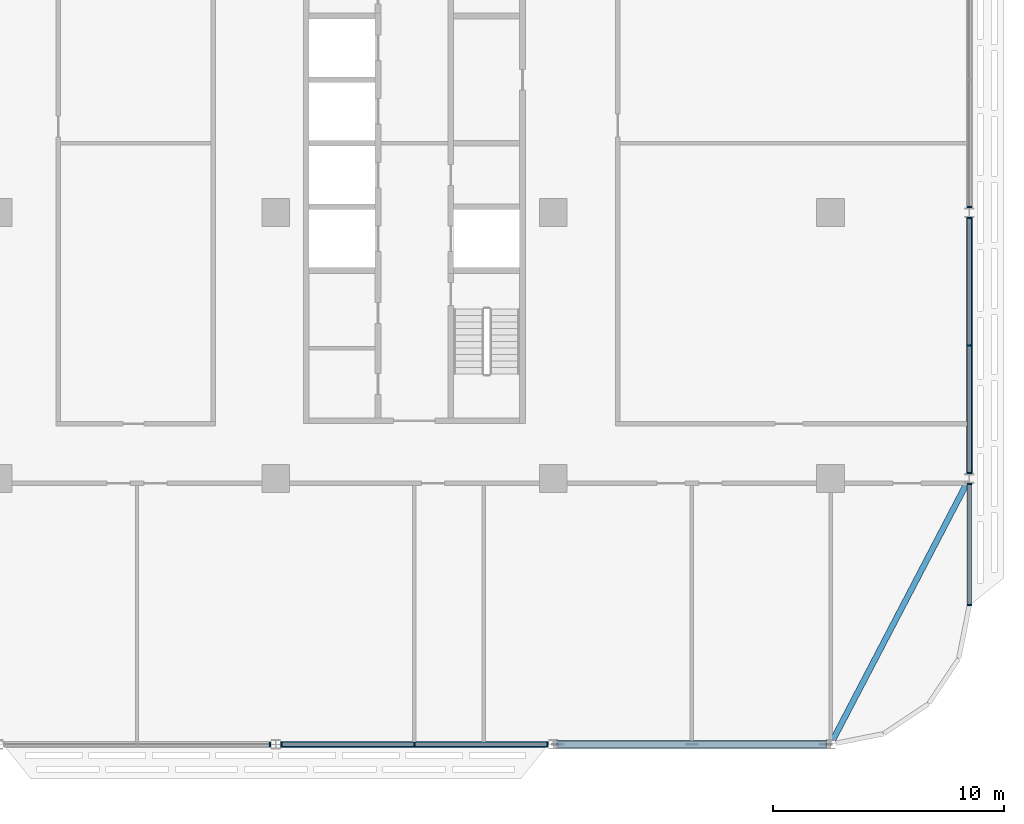
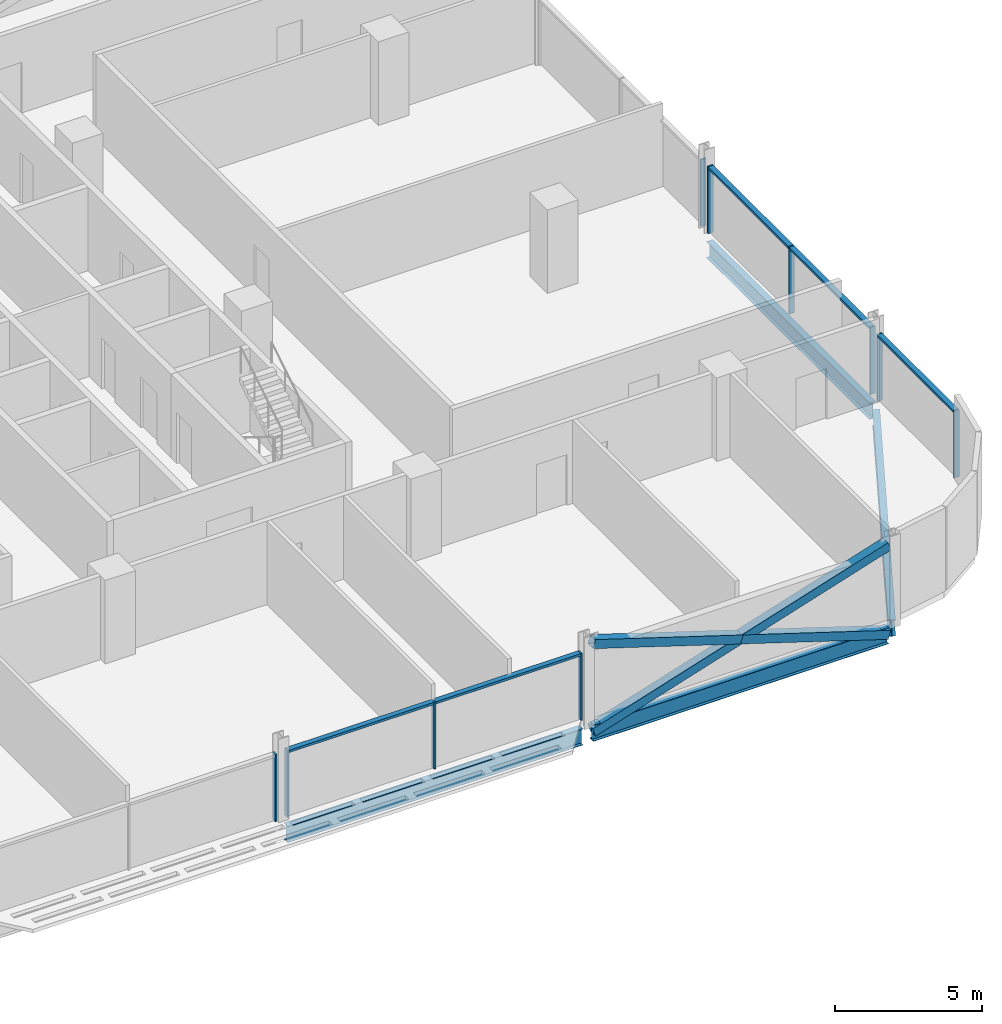
# One storey, part 8 of 27: 18 members, 4 beams, 5 elements without a shape of their own.
"""IFC4 building model written with IfcOpenShell, lengths in metres."""

from ifc_helpers import new_model, si_unit, direction, frame, origin, origin_2d, place, context, subcontext, project, spatial, rectangle, hollow_rectangle, i_section, extrude, material, material_profile, profile_set, type_object, element, aggregate, save


model = new_model("IFC4")

# Units and contexts
model_context = context("Model", 3, precision=1e-05, world=origin(), true_north=direction((0.0, 1.0)))
body_context = subcontext(model_context, "Body", "Model", "MODEL_VIEW")
ifc_project = project(units=[si_unit("LENGTHUNIT", "METRE"), si_unit("AREAUNIT", "SQUARE_METRE"), si_unit("VOLUMEUNIT", "CUBIC_METRE"), si_unit("PLANEANGLEUNIT", "RADIAN"), si_unit("MASSUNIT", "GRAM", prefix="KILO")], contexts=[model_context])

# Site, building, storey
site_placement = place(None, origin())
site = spatial("IfcSite", under=ifc_project, at=site_placement, CompositionType="ELEMENT")
building_placement = place(site_placement, origin())
building = spatial("IfcBuilding", under=site, at=building_placement, Name="Mahtab Terrace Research Tower", CompositionType="ELEMENT")
storey_placement = place(building_placement, frame((0.0, 0.0, 166.800048828125)))
storey = spatial("IfcBuildingStorey", under=building, at=storey_placement, Name="L39", CompositionType="ELEMENT", Elevation=166.800048828125)

# Members
ifc_material_1 = material(Name="Steel ASTM A500 Gr C", Category="steel")
ifc_material_profile_1 = material_profile(ifc_material_1, hollow_rectangle(XDim=0.355712890625, YDim=0.355712890625, WallThickness=0.015869140625, at=origin_2d()), Name="HSS14X14X5/8")
ifc_profile_set_1 = profile_set([ifc_material_profile_1], Name="Steel ASTM A500 Gr C")
member_type_1 = type_object("IfcMemberType", Name="HSS 14x14x5/8 brace XB141458", PredefinedType="BRACE", material=ifc_profile_set_1)
member_1_placement = place(storey_placement, frame((30.203125, -23.0, -0.61474609375), z_axis=(0.953347232701, 0.0, 0.301875891554), x_axis=(0.0, 1.0, 0.0)))
element("IfcMember", 1, at=member_1_placement, inside=storey, type_object=member_type_1, Name="Exoskeleton brace L39 18 a", PredefinedType="BRACE", context=body_context, shape_type="SweptSolid", body=[
    extrude(hollow_rectangle(XDim=0.355712890625, YDim=0.355712890625, WallThickness=0.015869140625, at=origin_2d()), origin(), (0.0, 0.0, 1.0), 12.1611328125),
])
for number, where, z_axis, x_axis, name in (
    (2, (41.796875, -23.0, -0.61474609375), (-0.953341454971, 0.0, 0.301894137463), (0.0, -1.0, 0.0), "Exoskeleton brace L39 18 b1"),
    (3, (36.0, -23.0, 1.220947265625), (-0.953353010152, 0.0, 0.301857645313), (0.0, -1.0, 0.0), "Exoskeleton brace L39 18 b2"),
):
    element("IfcMember", number, at=place(storey_placement, frame(where, z_axis=z_axis, x_axis=x_axis)), inside=storey, type_object=member_type_1, Name=name, PredefinedType="BRACE", context=body_context, shape_type="SweptSolid", body=[
        extrude(hollow_rectangle(XDim=0.355712890625, YDim=0.355712890625, WallThickness=0.015869140625, at=origin_2d()), origin(), (0.0, 0.0, 1.0), 6.08056640625),
    ])

# Curtain wall, member
ifc_material_2 = material(Name="Laboratory ribbon curtain wall")
curtain_wall_type = type_object("IfcCurtainWallType", Name="Laboratory ribbon curtain wall", PredefinedType="NOTDEFINED", material=ifc_material_2)
curtain_wall_1_placement = place(storey_placement, origin())
curtain_wall_1 = element("IfcCurtainWall", 4, at=curtain_wall_1_placement, inside=storey, type_object=curtain_wall_type, Name="EN.L39.13.27", PredefinedType="NOTDEFINED")
ifc_material_3 = material(Name="Natural anodised aluminium", Category="aluminium")
ifc_material_profile_2 = material_profile(ifc_material_3, rectangle(XDim=0.199951171875, YDim=0.06494140625, at=origin_2d()), Name="MULLION 65x200")
ifc_profile_set_2 = profile_set([ifc_material_profile_2], Name="Natural anodised aluminium")
member_type_2 = type_object("IfcMemberType", Name="Laboratory ribbon curtain wall mullion", PredefinedType="MULLION", material=ifc_profile_set_2)
member_2_placement = place(storey_placement, frame((17.759521484375, -23.0, 0.0), z_axis=(0.0, 0.0, 1.0), x_axis=(0.0, 1.0, 0.0)))
member_2 = element("IfcMember", 5, at=member_2_placement, type_object=member_type_2, Name="CWL-5 mullion 3", PredefinedType="MULLION", context=body_context, shape_type="SweptSolid", body=[
    extrude(rectangle(XDim=0.199951171875, YDim=0.06494140625, at=origin_2d()), origin(), (0.0, 0.0, 1.0), 2.78173828125),
])
aggregate(curtain_wall_1, [member_2])

# Curtain wall, members
curtain_wall_2_placement = place(storey_placement, origin())
curtain_wall_2 = element("IfcCurtainWall", 6, at=curtain_wall_2_placement, inside=storey, type_object=curtain_wall_type, Name="EN.L39.13.28", PredefinedType="NOTDEFINED")
member_3_placement = place(storey_placement, frame((18.240478515625, -23.0, 0.0), z_axis=(0.0, 0.0, 1.0), x_axis=(0.0, 1.0, 0.0)))
member_3 = element("IfcMember", 7, at=member_3_placement, type_object=member_type_2, Name="CWL-5 mullion 1", PredefinedType="MULLION", context=body_context, shape_type="SweptSolid", body=[
    extrude(rectangle(XDim=0.199951171875, YDim=0.06494140625, at=origin_2d()), origin(), (0.0, 0.0, 1.0), 2.78173828125),
])
member_4_placement = place(storey_placement, frame((24.0, -23.0, 0.0), z_axis=(0.0, 0.0, 1.0), x_axis=(0.0, 1.0, 0.0)))
member_4 = element("IfcMember", 8, at=member_4_placement, type_object=member_type_2, Name="CWL-5 mullion 2", PredefinedType="MULLION", context=body_context, shape_type="SweptSolid", body=[
    extrude(rectangle(XDim=0.199951171875, YDim=0.06494140625, at=origin_2d()), origin(), (0.0, 0.0, 1.0), 2.78173828125),
])
member_5_placement = place(storey_placement, frame((29.759521484375, -23.0, 0.0), z_axis=(0.0, 0.0, 1.0), x_axis=(0.0, 1.0, 0.0)))
member_5 = element("IfcMember", 9, at=member_5_placement, type_object=member_type_2, Name="CWL-5 mullion 3", PredefinedType="MULLION", context=body_context, shape_type="SweptSolid", body=[
    extrude(rectangle(XDim=0.199951171875, YDim=0.06494140625, at=origin_2d()), origin(), (0.0, 0.0, 1.0), 2.78173828125),
])

curtain_wall_3_placement = place(storey_placement, origin())
curtain_wall_3 = element("IfcCurtainWall", 10, at=curtain_wall_3_placement, inside=storey, type_object=curtain_wall_type, Name="EN.L39.18.34", PredefinedType="NOTDEFINED")
member_6_placement = place(storey_placement, frame((48.0, -16.967529296875, 0.0), z_axis=(0.0, 0.0, 1.0), x_axis=(-1.0, 0.0, 0.0)))
member_6 = element("IfcMember", 11, at=member_6_placement, type_object=member_type_2, Name="CWL-5 mullion 1", PredefinedType="MULLION", context=body_context, shape_type="SweptSolid", body=[
    extrude(rectangle(XDim=0.199951171875, YDim=0.06494140625, at=origin_2d()), origin(), (0.0, 0.0, 1.0), 2.78173828125),
])
member_7_placement = place(storey_placement, frame((48.0, -11.740478515625, 0.0), z_axis=(0.0, 0.0, 1.0), x_axis=(-1.0, 0.0, 0.0)))
member_7 = element("IfcMember", 12, at=member_7_placement, type_object=member_type_2, Name="CWL-5 mullion 2", PredefinedType="MULLION", context=body_context, shape_type="SweptSolid", body=[
    extrude(rectangle(XDim=0.199951171875, YDim=0.06494140625, at=origin_2d()), origin(), (0.0, 0.0, 1.0), 2.78173828125),
])

curtain_wall_4_placement = place(storey_placement, origin())
curtain_wall_4 = element("IfcCurtainWall", 13, at=curtain_wall_4_placement, inside=storey, type_object=curtain_wall_type, Name="EN.L39.18.35", PredefinedType="NOTDEFINED")
member_8_placement = place(storey_placement, frame((48.0, -11.259521484375, 0.0), z_axis=(0.0, 0.0, 1.0), x_axis=(-1.0, 0.0, 0.0)))
member_8 = element("IfcMember", 14, at=member_8_placement, type_object=member_type_2, Name="CWL-5 mullion 1", PredefinedType="MULLION", context=body_context, shape_type="SweptSolid", body=[
    extrude(rectangle(XDim=0.199951171875, YDim=0.06494140625, at=origin_2d()), origin(), (0.0, 0.0, 1.0), 2.78173828125),
])
member_9_placement = place(storey_placement, frame((48.0, -5.75, 0.0), z_axis=(0.0, 0.0, 1.0), x_axis=(-1.0, 0.0, 0.0)))
member_9 = element("IfcMember", 15, at=member_9_placement, type_object=member_type_2, Name="CWL-5 mullion 2", PredefinedType="MULLION", context=body_context, shape_type="SweptSolid", body=[
    extrude(rectangle(XDim=0.199951171875, YDim=0.06494140625, at=origin_2d()), origin(), (0.0, 0.0, 1.0), 2.78173828125),
])
member_10_placement = place(storey_placement, frame((48.0, -0.240478515625, 0.0), z_axis=(0.0, 0.0, 1.0), x_axis=(-1.0, 0.0, 0.0)))
member_10 = element("IfcMember", 16, at=member_10_placement, type_object=member_type_2, Name="CWL-5 mullion 3", PredefinedType="MULLION", context=body_context, shape_type="SweptSolid", body=[
    extrude(rectangle(XDim=0.199951171875, YDim=0.06494140625, at=origin_2d()), origin(), (0.0, 0.0, 1.0), 2.78173828125),
])

# Curtain wall, member
curtain_wall_5_placement = place(storey_placement, origin())
curtain_wall_5 = element("IfcCurtainWall", 17, at=curtain_wall_5_placement, inside=storey, type_object=curtain_wall_type, Name="EN.L39.18.36", PredefinedType="NOTDEFINED")
member_11_placement = place(storey_placement, frame((48.0, 0.240478515625, 0.0), z_axis=(0.0, 0.0, 1.0), x_axis=(-1.0, 0.0, 0.0)))
member_11 = element("IfcMember", 18, at=member_11_placement, type_object=member_type_2, Name="CWL-5 mullion 1", PredefinedType="MULLION", context=body_context, shape_type="SweptSolid", body=[
    extrude(rectangle(XDim=0.199951171875, YDim=0.06494140625, at=origin_2d()), origin(), (0.0, 0.0, 1.0), 2.78173828125),
])
aggregate(curtain_wall_5, [member_11])

# Member
ifc_material_profile_3 = material_profile(ifc_material_3, rectangle(XDim=0.199951171875, YDim=0.10009765625, at=origin_2d()), Name="TRANSOM 100x200")
ifc_profile_set_3 = profile_set([ifc_material_profile_3], Name="Natural anodised aluminium")
member_type_3 = type_object("IfcMemberType", Name="Laboratory ribbon curtain wall transom", PredefinedType="USERDEFINED", material=ifc_profile_set_3)
member_12_placement = place(storey_placement, frame((18.27294921875, -23.0, 2.731689453125), z_axis=(1.0, 0.0, 0.0), x_axis=(0.0, 1.0, 0.0)))
member_12 = element("IfcMember", 19, at=member_12_placement, type_object=member_type_3, Name="CWL-5 transom 1", ObjectType="TRANSOM", PredefinedType="USERDEFINED", context=body_context, shape_type="SweptSolid", body=[
    extrude(rectangle(XDim=0.199951171875, YDim=0.10009765625, at=origin_2d()), origin(), (0.0, 0.0, 1.0), 5.694580078125),
])

member_13_placement = place(storey_placement, frame((24.032470703125, -23.0, 2.731689453125), z_axis=(1.0, 0.0, 0.0), x_axis=(0.0, 1.0, 0.0)))
member_13 = element("IfcMember", 20, at=member_13_placement, type_object=member_type_3, Name="CWL-5 transom 2", ObjectType="TRANSOM", PredefinedType="USERDEFINED", context=body_context, shape_type="SweptSolid", body=[
    extrude(rectangle(XDim=0.199951171875, YDim=0.10009765625, at=origin_2d()), origin(), (0.0, 0.0, 1.0), 5.694580078125),
])

aggregate(curtain_wall_2, [member_3, member_4, member_5, member_12, member_13])

member_14_placement = place(storey_placement, frame((48.0, -16.93505859375, 2.731689453125), z_axis=(0.0, 1.0, 0.0), x_axis=(-1.0, 0.0, 0.0)))
member_14 = element("IfcMember", 21, at=member_14_placement, type_object=member_type_3, Name="CWL-5 transom 1", ObjectType="TRANSOM", PredefinedType="USERDEFINED", context=body_context, shape_type="SweptSolid", body=[
    extrude(rectangle(XDim=0.199951171875, YDim=0.10009765625, at=origin_2d()), origin(), (0.0, 0.0, 1.0), 5.162109375),
])

aggregate(curtain_wall_3, [member_6, member_7, member_14])

member_15_placement = place(storey_placement, frame((48.0, -11.22705078125, 2.731689453125), z_axis=(0.0, 1.0, 0.0), x_axis=(-1.0, 0.0, 0.0)))
member_15 = element("IfcMember", 22, at=member_15_placement, type_object=member_type_3, Name="CWL-5 transom 1", ObjectType="TRANSOM", PredefinedType="USERDEFINED", context=body_context, shape_type="SweptSolid", body=[
    extrude(rectangle(XDim=0.199951171875, YDim=0.10009765625, at=origin_2d()), origin(), (0.0, 0.0, 1.0), 5.444580078125),
])

member_16_placement = place(storey_placement, frame((48.0, -5.717529296875, 2.731689453125), z_axis=(0.0, 1.0, 0.0), x_axis=(-1.0, 0.0, 0.0)))
member_16 = element("IfcMember", 23, at=member_16_placement, type_object=member_type_3, Name="CWL-5 transom 2", ObjectType="TRANSOM", PredefinedType="USERDEFINED", context=body_context, shape_type="SweptSolid", body=[
    extrude(rectangle(XDim=0.199951171875, YDim=0.10009765625, at=origin_2d()), origin(), (0.0, 0.0, 1.0), 5.444580078125),
])

aggregate(curtain_wall_4, [member_8, member_9, member_10, member_15, member_16])

# Beams
ifc_material_4 = material(Name="Steel ASTM A992 Gr 50", Category="steel")
ifc_material_profile_4 = material_profile(ifc_material_4, i_section(OverallWidth=0.25390625, OverallDepth=0.67822265625, WebThickness=0.01171875, FlangeThickness=0.016357421875, at=origin_2d()), Name="W27X84")
ifc_profile_set_4 = profile_set([ifc_material_profile_4], Name="Steel ASTM A992 Gr 50")
beam_type = type_object("IfcBeamType", Name="W27x84 beam BS2784", PredefinedType="BEAM", material=ifc_profile_set_4)
for number, where, z_axis, x_axis, name in (
    (24, (18.203125, -23.0, -0.67919921875), (1.0, 0.0, 0.0), (0.0, 1.0, 0.0), "Spandrel beam L39 17"),
    (25, (30.203125, -23.0, -0.67919921875), (1.0, 0.0, 0.0), (0.0, 1.0, 0.0), "Spandrel beam L39 18"),
):
    element("IfcBeam", number, at=place(storey_placement, frame(where, z_axis=z_axis, x_axis=x_axis)), inside=storey, type_object=beam_type, Name=name, PredefinedType="BEAM", context=body_context, shape_type="SweptSolid", body=[
        extrude(i_section(OverallWidth=0.25390625, OverallDepth=0.67822265625, WebThickness=0.01171875, FlangeThickness=0.016357421875, at=origin_2d()), origin(), (0.0, 0.0, 1.0), 11.59375),
    ])
beam_1_placement = place(storey_placement, frame((42.108642578125, -22.791748046875, -0.67919921875), z_axis=(0.462567341525, 0.886584149731, 0.0), x_axis=(-0.886584149731, 0.462567341525, 0.0)))
element("IfcBeam", 26, at=beam_1_placement, inside=storey, type_object=beam_type, Name="Spandrel beam L39 19", PredefinedType="BEAM", context=body_context, shape_type="SweptSolid", body=[
    extrude(i_section(OverallWidth=0.25390625, OverallDepth=0.67822265625, WebThickness=0.01171875, FlangeThickness=0.016357421875, at=origin_2d()), origin(), (0.0, 0.0, 1.0), 12.50146484375),
])
beam_2_placement = place(storey_placement, frame((48.0, -11.291748046875, -0.67919921875), z_axis=(0.0, 1.0, 0.0), x_axis=(-1.0, 0.0, 0.0)))
element("IfcBeam", 27, at=beam_2_placement, inside=storey, type_object=beam_type, Name="Spandrel beam L39 20", PredefinedType="BEAM", context=body_context, shape_type="SweptSolid", body=[
    extrude(i_section(OverallWidth=0.25390625, OverallDepth=0.67822265625, WebThickness=0.01171875, FlangeThickness=0.016357421875, at=origin_2d()), origin(), (0.0, 0.0, 1.0), 11.08349609375),
])

save(model, "model.ifc")
